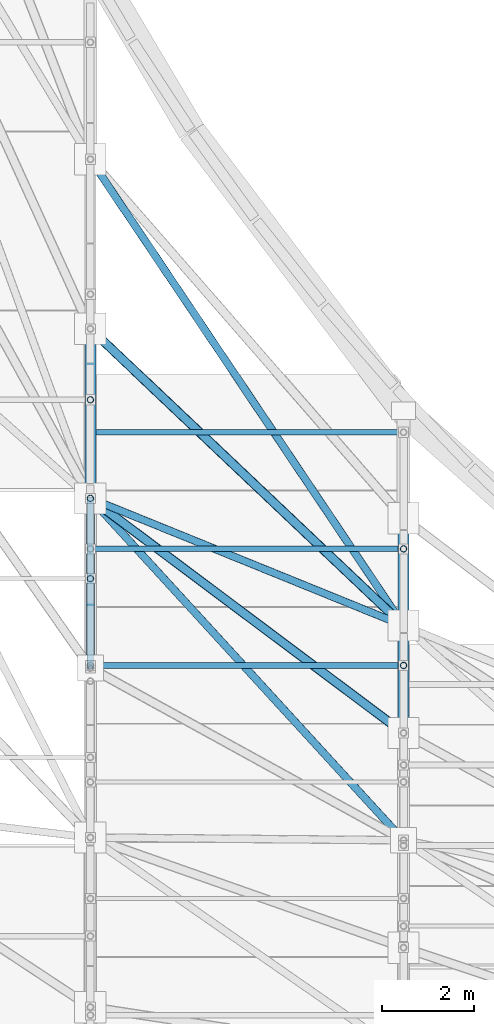
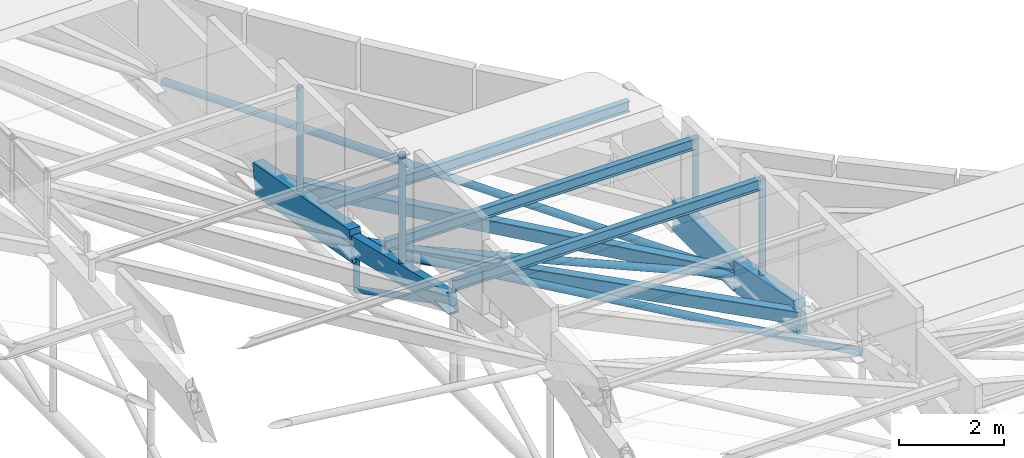
# One storey, part 34 of 188: 18 members.
"""IFC4 building model written with IfcOpenShell, lengths in metres."""

from ifc_helpers import new_model, si_unit, direction, frame, origin, origin_2d, place, context, subcontext, project, spatial, rectangle, hollow_rectangle, hollow_circle, i_section, extrude, material, material_profile, profile_set, type_object, element, save


model = new_model("IFC4")

# Units and contexts
model_context = context("Model", 3, precision=1e-05, world=origin(), true_north=direction((0.0, 1.0)))
body_context = subcontext(model_context, "Body", "Model", "MODEL_VIEW")
ifc_project = project(units=[si_unit("LENGTHUNIT", "METRE"), si_unit("AREAUNIT", "SQUARE_METRE"), si_unit("VOLUMEUNIT", "CUBIC_METRE"), si_unit("PLANEANGLEUNIT", "RADIAN"), si_unit("MASSUNIT", "GRAM", prefix="KILO")], contexts=[model_context])

# Site, building, storey
site_placement = place(None, origin())
site = spatial("IfcSite", under=ifc_project, at=site_placement, CompositionType="ELEMENT")
building_placement = place(site_placement, origin())
building = spatial("IfcBuilding", under=site, at=building_placement, Name="Kisaragi Civic Commons", CompositionType="ELEMENT")
storey_placement = place(building_placement, frame((0.0, 0.0, 9.60009765625)))
storey = spatial("IfcBuildingStorey", under=building, at=storey_placement, Name="L02", CompositionType="ELEMENT", Elevation=9.60009765625)

# Members
ifc_material_1 = material(Name="Steel SN400 (SN400B)", Category="steel")
ifc_material_profile_1 = material_profile(ifc_material_1, hollow_circle(Radius=0.08251953125, WallThickness=0.006103515625, at=origin_2d()), Name="CHS-165.2x6.0", Category="steel")
ifc_profile_set_1 = profile_set([ifc_material_profile_1], Name="Steel SN400 (SN400B)")
member_type_1 = type_object("IfcMemberType", Name="BR-02", PredefinedType="BRACE", material=ifc_profile_set_1)
member_1_placement = place(storey_placement, frame((34.0, 20.7666015625, 0.952392578125), z_axis=(0.675051529284, -0.736853898855, -0.036766350839), x_axis=(0.737352430826, 0.675508247732, 0.0)))
element("IfcMember", 1, at=member_1_placement, inside=storey, type_object=member_type_1, Name="V1 diagonal gridshell steel brace 34", PredefinedType="BRACE", context=body_context, shape_type="SweptSolid", body=[
    extrude(hollow_circle(Radius=0.08251953125, WallThickness=0.006103515625, at=origin_2d()), origin(), (0.0, 0.0, 1.0), 10.073486328125),
])
member_2_placement = place(storey_placement, frame((34.0, 20.7666015625, 0.952392578125), z_axis=(0.910308337312, -0.369542109288, -0.186486890917), x_axis=(0.376140574417, 0.926562608935, 0.0)))
element("IfcMember", 2, at=member_2_placement, inside=storey, type_object=member_type_1, Name="V1 diagonal gridshell steel brace 35", PredefinedType="BRACE", context=body_context, shape_type="SweptSolid", body=[
    extrude(hollow_circle(Radius=0.08251953125, WallThickness=0.006103515625, at=origin_2d()), origin(), (0.0, 0.0, 1.0), 7.469970703125),
])
member_3_placement = place(storey_placement, frame((34.0, 28.1298828125, 0.28662109375), z_axis=(0.556595310104, -0.828648178798, -0.059530299386), x_axis=(0.830120398092, 0.557584186174, 0.0)))
element("IfcMember", 3, at=member_3_placement, inside=storey, type_object=member_type_1, Name="V1 diagonal gridshell steel brace 36", PredefinedType="BRACE", context=body_context, shape_type="SweptSolid", body=[
    extrude(hollow_circle(Radius=0.08251953125, WallThickness=0.006103515625, at=origin_2d()), origin(), (0.0, 0.0, 1.0), 12.21728515625),
])
ifc_material_2 = material(Name="Steel SN490 (SN490B)", Category="steel")
ifc_material_profile_2 = material_profile(ifc_material_2, hollow_rectangle(XDim=0.199951171875, YDim=0.300048828125, WallThickness=0.009033203125, InnerFilletRadius=0.009033203125, OuterFilletRadius=0.01806640625, at=origin_2d()), Name="STKR-300x200x9", Category="steel")
ifc_profile_set_2 = profile_set([ifc_material_profile_2], Name="Steel SN490 (SN490B)")
member_type_2 = type_object("IfcMemberType", Name="GC-02", PredefinedType="CHORD", material=ifc_profile_set_2)
member_4_placement = place(storey_placement, frame((34.0, 20.7666015625, 0.952392578125), z_axis=(0.795598614341, -0.595706354866, -0.110257805312), x_axis=(0.599360643758, 0.800479118225, 0.0)))
element("IfcMember", 4, at=member_4_placement, inside=storey, type_object=member_type_2, Name="V1 wave gridshell chord GC-02 40", PredefinedType="CHORD", context=body_context, shape_type="SweptSolid", body=[
    extrude(hollow_rectangle(XDim=0.199951171875, YDim=0.300048828125, WallThickness=0.009033203125, InnerFilletRadius=0.009033203125, OuterFilletRadius=0.01806640625, at=origin_2d()), origin(), (0.0, 0.0, 1.0), 8.547119140625),
])
member_5_placement = place(storey_placement, frame((34.0, 24.4482421875, 0.28662109375), z_axis=(0.723774981974, -0.68568019421, -0.077410895462), x_axis=(0.687743924975, 0.725953368792, 0.0)))
element("IfcMember", 5, at=member_5_placement, inside=storey, type_object=member_type_2, Name="V1 wave gridshell chord GC-02 41", PredefinedType="CHORD", context=body_context, shape_type="SweptSolid", body=[
    extrude(hollow_rectangle(XDim=0.199951171875, YDim=0.300048828125, WallThickness=0.009033203125, InnerFilletRadius=0.009033203125, OuterFilletRadius=0.01806640625, at=origin_2d()), origin(), (0.0, 0.0, 1.0), 9.395263671875),
])
ifc_material_3 = material(Name="Glulam E120-F330", Category="wood")
ifc_material_profile_3 = material_profile(ifc_material_3, rectangle(XDim=0.239990234375, YDim=0.719970703125, at=origin_2d()), Name="GL-240x720", Category="wood")
ifc_profile_set_3 = profile_set([ifc_material_profile_3], Name="Glulam E120-F330")
member_type_3 = type_object("IfcMemberType", Name="GR-02", PredefinedType="RAFTER", material=ifc_profile_set_3)
member_6_placement = place(storey_placement, frame((34.0, 20.7666015625, 0.952392578125), z_axis=(0.0, 0.984039648904, -0.177949344997), x_axis=(-1.0, 0.0, 0.0)))
element("IfcMember", 6, at=member_6_placement, inside=storey, type_object=member_type_3, Name="V1 glulam arch rib GR-02 46", PredefinedType="RAFTER", context=body_context, shape_type="SweptSolid", body=[
    extrude(rectangle(XDim=0.239990234375, YDim=0.719970703125, at=origin_2d()), origin(), (0.0, 0.0, 1.0), 3.741455078125),
])
member_7_placement = place(storey_placement, frame((40.800048828125, 15.675048828125, 0.010009765625), z_axis=(0.0, 0.981818198338, -0.189823669264), x_axis=(-1.0, 0.0, 0.0)))
element("IfcMember", 7, at=member_7_placement, inside=storey, type_object=member_type_3, Name="V1 glulam arch rib GR-02 54", PredefinedType="RAFTER", context=body_context, shape_type="SweptSolid", body=[
    extrude(rectangle(XDim=0.239990234375, YDim=0.719970703125, at=origin_2d()), origin(), (0.0, 0.0, 1.0), 2.374267578125),
])
member_8_placement = place(storey_placement, frame((40.800048828125, 18.006103515625, -0.440673828125), z_axis=(0.0, 1.0, 0.0), x_axis=(-1.0, 0.0, 0.0)))
element("IfcMember", 8, at=member_8_placement, inside=storey, type_object=member_type_3, Name="V1 glulam arch rib GR-02 55", PredefinedType="RAFTER", context=body_context, shape_type="SweptSolid", body=[
    extrude(rectangle(XDim=0.239990234375, YDim=0.719970703125, at=origin_2d()), origin(), (0.0, 0.0, 1.0), 2.330810546875),
])
ifc_material_profile_4 = material_profile(ifc_material_3, rectangle(XDim=0.179931640625, YDim=0.449951171875, at=origin_2d()), Name="GL-180x450", Category="wood")
ifc_profile_set_4 = profile_set([ifc_material_profile_4], Name="Glulam E120-F330")
member_type_4 = type_object("IfcMemberType", Name="GR-05", PredefinedType="RAFTER", material=ifc_profile_set_4)
member_9_placement = place(storey_placement, frame((34.0, 17.0849609375, 1.845947265625), z_axis=(0.0, 0.971787473643, -0.235858232993), x_axis=(-1.0, 0.0, 0.0)))
element("IfcMember", 9, at=member_9_placement, inside=storey, type_object=member_type_4, Name="V1 glulam arch rib GR-05 45", PredefinedType="RAFTER", context=body_context, shape_type="SweptSolid", body=[
    extrude(rectangle(XDim=0.179931640625, YDim=0.449951171875, at=origin_2d()), origin(), (0.0, 0.0, 1.0), 3.78857421875),
])
ifc_material_profile_5 = material_profile(ifc_material_1, i_section(OverallWidth=0.125, OverallDepth=0.25, WebThickness=0.006103515625, FlangeThickness=0.009033203125, FilletRadius=0.008056640625, at=origin_2d()), Name="H-250x125x6x9", Category="steel")
ifc_profile_set_5 = profile_set([ifc_material_profile_5], Name="Steel SN400 (SN400B)")
member_type_5 = type_object("IfcMemberType", Name="PR-01", PredefinedType="PURLIN", material=ifc_profile_set_5)
for number, where, z_axis, x_axis, name in (
    (10, (34.0, 17.140380859375, 2.2197265625), (1.0, 0.0, 0.0), (0.0, 1.0, 0.0), "V1 wave vault steel purlin 45"),
    (11, (34.0, 19.67138671875, 1.620361328125), (1.0, 0.0, 0.0), (0.0, 1.0, 0.0), "V1 wave vault steel purlin 46"),
    (12, (34.0, 22.202392578125, 0.9501953125), (1.0, 0.0, 0.0), (0.0, 1.0, 0.0), "V1 wave vault steel purlin 47"),
):
    element("IfcMember", number, at=place(storey_placement, frame(where, z_axis=z_axis, x_axis=x_axis)), inside=storey, type_object=member_type_5, Name=name, PredefinedType="PURLIN", context=body_context, shape_type="SweptSolid", body=[
        extrude(i_section(OverallWidth=0.125, OverallDepth=0.25, WebThickness=0.006103515625, FlangeThickness=0.009033203125, FilletRadius=0.008056640625, at=origin_2d()), origin(), (0.0, 0.0, 1.0), 6.800048828125),
    ])
ifc_material_profile_6 = material_profile(ifc_material_2, hollow_circle(Radius=0.06982421875, WallThickness=0.006103515625, at=origin_2d()), Name="CHS-139.8x6.0", Category="steel")
ifc_profile_set_6 = profile_set([ifc_material_profile_6], Name="Steel SN490 (SN490B)")
member_type_6 = type_object("IfcMemberType", Name="ST-H1", PredefinedType="STRUT", material=ifc_profile_set_6)
member_10_placement = place(storey_placement, frame((34.0, 20.7666015625, -0.080078125), z_axis=(0.0, 0.0, 1.0), x_axis=(1.0, 0.0, 0.0)))
element("IfcMember", 13, at=member_10_placement, inside=storey, type_object=member_type_6, Name="V1 arch tie hanger strut 75", PredefinedType="STRUT", context=body_context, shape_type="SweptSolid", body=[
    extrude(hollow_circle(Radius=0.06982421875, WallThickness=0.006103515625, at=origin_2d()), origin(), (0.0, 0.0, 1.0), 1.032470703125),
])
member_11_placement = place(storey_placement, frame((34.0, 20.7666015625, -0.080078125), z_axis=(0.0, -0.886074079349, 0.463543661272), x_axis=(1.0, 0.0, 0.0)))
element("IfcMember", 14, at=member_11_placement, inside=storey, type_object=member_type_6, Name="V1 tied arch truss diagonal web strut 81", PredefinedType="STRUT", context=body_context, shape_type="SweptSolid", body=[
    extrude(hollow_circle(Radius=0.06982421875, WallThickness=0.006103515625, at=origin_2d()), origin(), (0.0, 0.0, 1.0), 4.155029296875),
])
member_12_placement = place(storey_placement, frame((34.0, 19.02587890625, 1.375), z_axis=(0.0, 0.0, 1.0), x_axis=(1.0, 0.0, 0.0)))
element("IfcMember", 15, at=member_12_placement, inside=storey, type_object=member_type_6, Name="V1 clerestory monitor horizontal tie strut 5.5.5", PredefinedType="STRUT", context=body_context, shape_type="SweptSolid", body=[
    extrude(hollow_circle(Radius=0.06982421875, WallThickness=0.006103515625, at=origin_2d()), origin(), (0.0, 0.0, 1.0), 2.773681640625),
])
member_13_placement = place(storey_placement, frame((34.0, 22.907470703125, 0.565185546875), z_axis=(0.0, 0.0, 1.0), x_axis=(1.0, 0.0, 0.0)))
element("IfcMember", 16, at=member_13_placement, inside=storey, type_object=member_type_6, Name="V1 clerestory monitor horizontal tie strut 5.5.6", PredefinedType="STRUT", context=body_context, shape_type="SweptSolid", body=[
    extrude(hollow_circle(Radius=0.06982421875, WallThickness=0.006103515625, at=origin_2d()), origin(), (0.0, 0.0, 1.0), 2.76953125),
])
member_14_placement = place(storey_placement, frame((40.800048828125, 17.140380859375, -0.273193359375), z_axis=(0.0, 0.0, 1.0), x_axis=(1.0, 0.0, 0.0)))
element("IfcMember", 17, at=member_14_placement, inside=storey, type_object=member_type_6, Name="V1 clerestory monitor horizontal tie strut 6.6.6", PredefinedType="STRUT", context=body_context, shape_type="SweptSolid", body=[
    extrude(hollow_circle(Radius=0.06982421875, WallThickness=0.006103515625, at=origin_2d()), origin(), (0.0, 0.0, 1.0), 2.617919921875),
])
member_15_placement = place(storey_placement, frame((40.800048828125, 19.67138671875, -0.440673828125), z_axis=(0.0, 0.0, 1.0), x_axis=(1.0, 0.0, 0.0)))
element("IfcMember", 18, at=member_15_placement, inside=storey, type_object=member_type_6, Name="V1 clerestory monitor horizontal tie strut 6.6.7", PredefinedType="STRUT", context=body_context, shape_type="SweptSolid", body=[
    extrude(hollow_circle(Radius=0.06982421875, WallThickness=0.006103515625, at=origin_2d()), origin(), (0.0, 0.0, 1.0), 2.18603515625),
])

save(model, "model.ifc")
